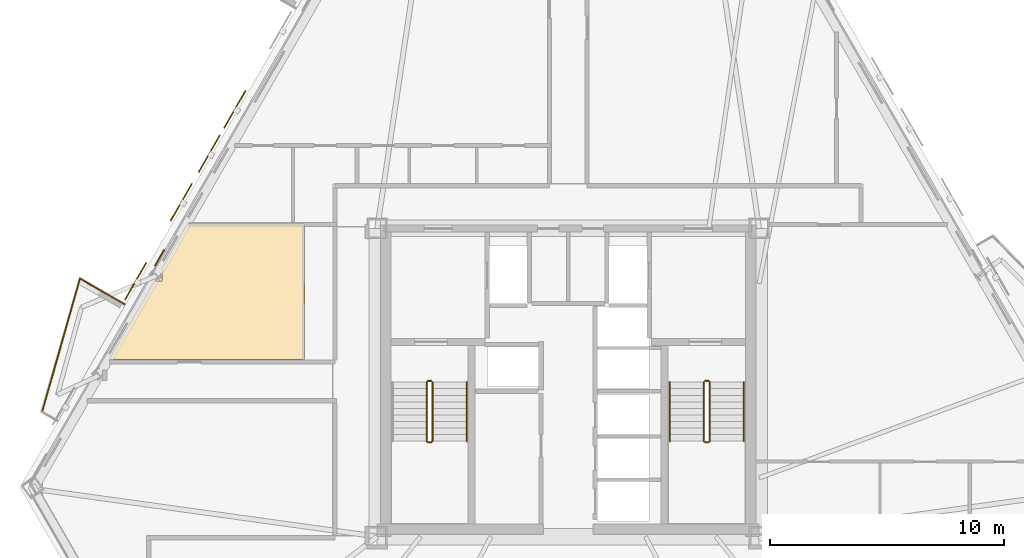
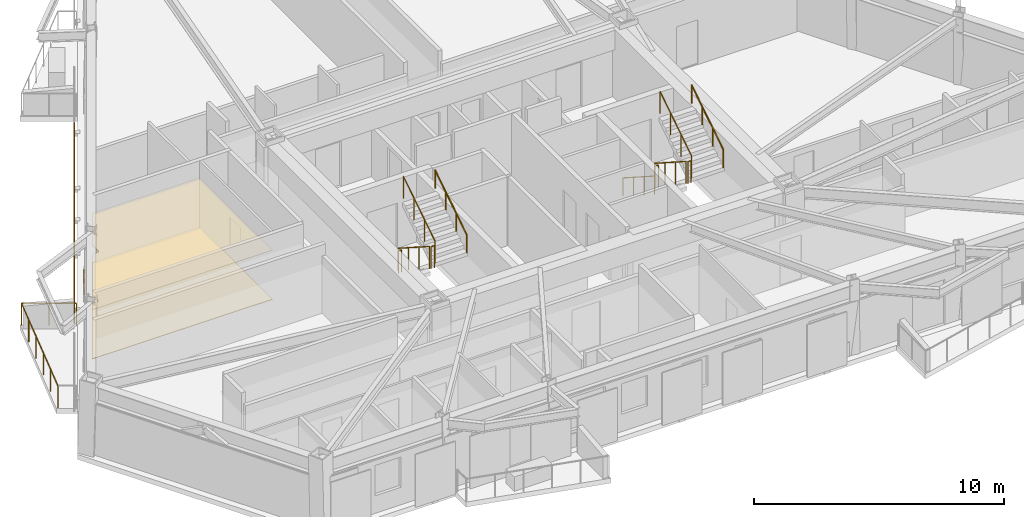
# One storey, part 8 of 9: 13 railings, 4 shading devices, 3 coverings.
"""IFC4 building model written with IfcOpenShell, lengths in metres."""

import ifcopenshell
import ifcopenshell.guid

model = None  # the IFC model being written
_history = None  # IfcOwnerHistory: only IFC2X3 demands one
_inside = {}  # id of a spatial element -> (the spatial element, [elements in it])
_under = {}  # id of a project, library or spatial element -> (it, [spatial elements below it])
_declared = {}  # id of a project -> (the project, [libraries it declares])
_typed = {}  # id of a type object -> (the type object, [elements of that type])
_made_of = {}  # id of a material, layer set ... -> (it, [elements and type objects made of it])


def new_model(schema):
    """Start an empty IFC model of exactly this schema.

    Asked for "IFC4X3", IfcOpenShell would pick the latest addendum, in which some entities
    have other attributes; the version numbers below select the first issue.
    IFC2X3 requires an IfcOwnerHistory on every rooted entity: one is made here for all.
    """
    global model, _history
    if schema == "IFC4X3":
        model = ifcopenshell.file(schema_version=(4, 3, 0, 0))
    else:
        model = ifcopenshell.file(schema=schema)
    _inside.clear()
    _under.clear()
    _declared.clear()
    _typed.clear()
    _made_of.clear()
    _history = None
    if model.schema == "IFC2X3":
        org = make("IfcOrganization", Name="unknown")
        user = make(
            "IfcPersonAndOrganization",
            ThePerson=make("IfcPerson", FamilyName="unknown"),
            TheOrganization=org,
        )
        app = make(
            "IfcApplication",
            ApplicationDeveloper=org,
            Version="unknown",
            ApplicationFullName="unknown",
            ApplicationIdentifier="unknown",
        )
        _history = make(
            "IfcOwnerHistory",
            OwningUser=user,
            OwningApplication=app,
            ChangeAction="ADDED",
            CreationDate=0,
        )
    return model


def make(cls, **values):
    """One entity of the class cls with the attributes given. An attribute that is None is left unset."""
    return model.create_entity(
        cls, **{name: value for name, value in values.items() if value is not None}
    )


def rooted(cls, **values):
    """An entity with a GlobalId (a new one), such as an element, a storey or a relation."""
    return make(cls, GlobalId=ifcopenshell.guid.new(), OwnerHistory=_history, **values)


def si_unit(unit_type, name, prefix=None):
    """IfcSIUnit, for example si_unit("LENGTHUNIT", "METRE", prefix="MILLI")."""
    return make("IfcSIUnit", UnitType=unit_type, Prefix=prefix, Name=name)


def assignment(units):
    """IfcUnitAssignment: the units of a project."""
    return None if units is None else make("IfcUnitAssignment", Units=units)


def point(xyz):
    """IfcCartesianPoint."""
    return None if xyz is None else make("IfcCartesianPoint", Coordinates=xyz)


def direction(xyz):
    """IfcDirection."""
    return None if xyz is None else make("IfcDirection", DirectionRatios=xyz)


def frame(location, z_axis=None, x_axis=None):
    """IfcAxis2Placement3D, a coordinate frame: its origin and axes. An axis left out is left unset."""
    return make(
        "IfcAxis2Placement3D",
        Location=point(location),
        Axis=direction(z_axis),
        RefDirection=direction(x_axis),
    )


def frame_2d(location, x_axis=None):
    """IfcAxis2Placement2D, a coordinate frame in the plane: its origin and x axis."""
    return make(
        "IfcAxis2Placement2D", Location=point(location), RefDirection=direction(x_axis)
    )


def origin():
    """The frame at (0, 0, 0) with its axes left unset."""
    return frame((0.0, 0.0, 0.0))


def origin_2d():
    """The frame at (0, 0) in the plane with its x axis left unset."""
    return frame_2d((0.0, 0.0))


def place(relative_to, where):
    """IfcLocalPlacement: puts the frame where relative to a parent placement (None: the world)."""
    return make(
        "IfcLocalPlacement", PlacementRelTo=relative_to, RelativePlacement=where
    )


def context(
    kind, dimensions, precision=None, world=None, true_north=None, identifier=None
):
    """IfcGeometricRepresentationContext, for example the 3D "Model" context."""
    return make(
        "IfcGeometricRepresentationContext",
        ContextIdentifier=identifier,
        ContextType=kind,
        CoordinateSpaceDimension=dimensions,
        Precision=precision,
        WorldCoordinateSystem=world,
        TrueNorth=true_north,
    )


def subcontext(parent, identifier, kind, view, scale=None):
    """IfcGeometricRepresentationSubContext, for example "Body" below "Model"."""
    return make(
        "IfcGeometricRepresentationSubContext",
        ContextIdentifier=identifier,
        ContextType=kind,
        ParentContext=parent,
        TargetScale=scale,
        TargetView=view,
    )


def project(units=None, contexts=None):
    """IfcProject with its units and contexts."""
    return rooted(
        "IfcProject",
        Name="project",
        RepresentationContexts=contexts,
        UnitsInContext=assignment(units),
    )


def spatial(cls, under=None, at=None, **own):
    """A site, building, storey or space (cls), placed at a placement, below another one or the project."""
    s = rooted(cls, ObjectPlacement=at, **own)
    if under is not None:
        _under.setdefault(under.id(), (under, []))[1].append(s)
    return s


def polyline(points):
    """IfcPolyline through the points."""
    return make("IfcPolyline", Points=[point(p) for p in points])


def profile(cls, at=None, kind="AREA", **sizes):
    """A parametric profile (cls). Its sizes go by their IFC names, for example OverallWidth=200.0."""
    return make(cls, ProfileType=kind, Position=at, **sizes)


def rectangle(**sizes):
    """IfcRectangleProfileDef."""
    return profile("IfcRectangleProfileDef", **sizes)


def circle(**sizes):
    """IfcCircleProfileDef."""
    return profile("IfcCircleProfileDef", **sizes)


def outline(outer, holes=None, kind="AREA"):
    """IfcArbitraryClosedProfileDef: a profile drawn as a closed curve; with holes, ...WithVoids."""
    if holes is None:
        return make("IfcArbitraryClosedProfileDef", ProfileType=kind, OuterCurve=outer)
    return make(
        "IfcArbitraryProfileDefWithVoids",
        ProfileType=kind,
        OuterCurve=outer,
        InnerCurves=holes,
    )


def extrude(swept, where, along, depth):
    """IfcExtrudedAreaSolid: the profile swept, set in the frame where, extruded along a direction by depth."""
    return make(
        "IfcExtrudedAreaSolid",
        SweptArea=swept,
        Position=where,
        ExtrudedDirection=direction(along),
        Depth=depth,
    )


def shape(context_of_items, identifier, shape_type, items):
    """IfcShapeRepresentation: the items that make up one representation, for example the "Body"."""
    return make(
        "IfcShapeRepresentation",
        ContextOfItems=context_of_items,
        RepresentationIdentifier=identifier,
        RepresentationType=shape_type,
        Items=items,
    )


def material(Name=None, Category=None):
    """IfcMaterial."""
    return make("IfcMaterial", Name=Name, Category=Category)


def layer(
    of_material, thickness, ventilated=None, Name=None, Category=None, Priority=None
):
    """IfcMaterialLayer: one layer of a wall or slab, of a material (None: an air gap)."""
    return make(
        "IfcMaterialLayer",
        Material=of_material,
        LayerThickness=thickness,
        IsVentilated=ventilated,
        Name=Name,
        Category=Category,
        Priority=Priority,
    )


def layer_set(layers, Name=None):
    """IfcMaterialLayerSet."""
    return make("IfcMaterialLayerSet", MaterialLayers=layers, LayerSetName=Name)


def made_of(thing, what):
    """Note that an element or type object is made of a material, layer set ...; save() writes the relation."""
    if what is not None:
        _made_of.setdefault(what.id(), (what, []))[1].append(thing)
    return thing


def type_object(cls, material=None, **own):
    """A type object (cls), such as IfcWallType, which elements share."""
    return made_of(rooted(cls, **own), material)


def element(
    cls,
    number,
    at=None,
    inside=None,
    cuts=None,
    type_object=None,
    material=None,
    context=None,
    identifier="Body",
    shape_type=None,
    held_by="IfcProductDefinitionShape",
    body=None,
    shapes=None,
    **own,
):
    """One element of the class cls, such as IfcWall. Its Tag is "e" and its number.

    at: its placement. inside: the storey or other place that contains it. cuts: it is an
    opening in that element (IfcRelVoidsElement). A single representation is given by context,
    identifier, shape_type and body (its items); several are given by shapes. held_by: the class
    of the entity that holds the representations. save() writes the other relations.
    """
    e = rooted(cls, Tag="e%d" % number, ObjectPlacement=at, **own)
    if body is not None:
        shapes = [shape(context, identifier, shape_type, body)]
    if shapes is not None:
        e.Representation = make(held_by, Representations=shapes)
    if inside is not None:
        _inside.setdefault(inside.id(), (inside, []))[1].append(e)
    if cuts is not None:
        rooted(
            "IfcRelVoidsElement", RelatingBuildingElement=cuts, RelatedOpeningElement=e
        )
    if type_object is not None:
        _typed.setdefault(type_object.id(), (type_object, []))[1].append(e)
    return made_of(e, material)


def aggregate(whole, parts):
    """IfcRelAggregates: a whole, such as a stair, and the parts it consists of."""
    return rooted("IfcRelAggregates", RelatingObject=whole, RelatedObjects=parts)


def save(model, path):
    """Write the relations noted so far, then the file.

    IfcRelAggregates (storeys below a building ...), IfcRelContainedInSpatialStructure (elements
    in a storey), IfcRelDefinesByType, IfcRelAssociatesMaterial and IfcRelDeclares: one each for
    every whole, place, type object, material and project.
    """
    for whole, parts in _under.values():
        aggregate(whole, parts)
    for where, things in _inside.values():
        rooted(
            "IfcRelContainedInSpatialStructure",
            RelatedElements=things,
            RelatingStructure=where,
        )
    for kind, things in _typed.values():
        rooted("IfcRelDefinesByType", RelatedObjects=things, RelatingType=kind)
    for what, things in _made_of.values():
        rooted("IfcRelAssociatesMaterial", RelatedObjects=things, RelatingMaterial=what)
    for by, libraries in _declared.values():
        rooted("IfcRelDeclares", RelatingContext=by, RelatedDefinitions=libraries)
    model.write(path)


model = new_model("IFC4")

# Units and contexts
model_context = context("Model", 3, precision=1e-05, world=origin(), true_north=direction((0.0, 1.0)))
body_context = subcontext(model_context, "Body", "Model", "MODEL_VIEW")
ifc_project = project(units=[si_unit("LENGTHUNIT", "METRE"), si_unit("AREAUNIT", "SQUARE_METRE"), si_unit("VOLUMEUNIT", "CUBIC_METRE"), si_unit("PLANEANGLEUNIT", "RADIAN"), si_unit("MASSUNIT", "GRAM", prefix="KILO")], contexts=[model_context])

# Site, building, storey
site_placement = place(None, origin())
site = spatial("IfcSite", under=ifc_project, at=site_placement, CompositionType="ELEMENT")
building_placement = place(site_placement, origin())
building = spatial("IfcBuilding", under=site, at=building_placement, Name="Oramaril Tower", CompositionType="ELEMENT")
storey_placement = place(building_placement, frame((0.0, 0.0, 123.0)))
storey = spatial("IfcBuildingStorey", under=building, at=storey_placement, Name="L32", CompositionType="ELEMENT", Elevation=123.0)

# Coverings
ifc_material_1 = material(Name="Mineral Fibre Acoustic Ceiling")
ifc_layer_1 = layer(ifc_material_1, 0.02001953125)
ifc_layer_set_1 = layer_set([ifc_layer_1], Name="CVT-CEIL")
covering_type_1 = type_object("IfcCoveringType", Name="CVT-CEIL", PredefinedType="CEILING", material=ifc_layer_set_1)
covering_1_placement = place(storey_placement, frame((0.0, 0.0, 2.39990234375)))
element("IfcCovering", 1, at=covering_1_placement, inside=storey, type_object=covering_type_1, Name="L32 Acoustic Suspended Ceiling 16", PredefinedType="CEILING", context=body_context, shape_type="SweptSolid", body=[
    extrude(outline(polyline([(19.84765625, 21.9169921875), (20.169921875, 21.9169921875), (20.169921875, 22.4169921875), (20.13623046875, 22.4169921875), (21.25927734375, 24.362060546875), (26.238037109375, 24.362060546875), (26.238037109375, 18.550048828125), (17.90380859375, 18.550048828125), (19.84765625, 21.9169921875)])), origin(), (0.0, 0.0, 1.0), 0.02001953125),
])
ifc_material_2 = material(Name="Warm Cream Limestone", Category="masonry")
ifc_layer_2 = layer(ifc_material_2, 0.050048828125)
ifc_layer_set_2 = layer_set([ifc_layer_2], Name="CVT-CLD")
covering_type_2 = type_object("IfcCoveringType", Name="CVT-CLD", PredefinedType="CLADDING", material=ifc_layer_set_2)
covering_2_placement = place(storey_placement, frame((20.0654296875, 22.896240234375, 0.0400390625), z_axis=(0.0, 0.0, 1.0), x_axis=(-0.4999984885, -0.866026276448, 0.0)))
element("IfcCovering", 2, at=covering_2_placement, inside=storey, type_object=covering_type_2, Name="L32 Warm Cream Limestone Spandrel Cladding", PredefinedType="CLADDING", context=body_context, shape_type="SweptSolid", body=[
    extrude(rectangle(XDim=0.800048828125, YDim=0.050048828125, at=origin_2d()), origin(), (0.0, 0.0, 1.0), 0.679931640625),
])
ifc_material_3 = material(Name="Honed Quartzite Stone Flooring", Category="masonry")
ifc_layer_3 = layer(ifc_material_3, 0.02490234375)
ifc_layer_set_3 = layer_set([ifc_layer_3], Name="CVT-FLR")
covering_type_3 = type_object("IfcCoveringType", Name="CVT-FLR", PredefinedType="FLOORING", material=ifc_layer_set_3)
covering_3_placement = place(storey_placement, origin())
element("IfcCovering", 3, at=covering_3_placement, inside=storey, type_object=covering_type_3, Name="L32 Honed Stone Floor Finish 16", PredefinedType="FLOORING", context=body_context, shape_type="SweptSolid", body=[
    extrude(outline(polyline([(19.84765625, 21.9169921875), (20.169921875, 21.9169921875), (20.169921875, 22.4169921875), (20.13623046875, 22.4169921875), (21.25927734375, 24.362060546875), (26.238037109375, 24.362060546875), (26.238037109375, 18.550048828125), (17.90380859375, 18.550048828125), (19.84765625, 21.9169921875)])), origin(), (0.0, 0.0, 1.0), 0.02490234375),
])

# Railings
ifc_material_4 = material(Name="Stainless Steel 316L", Category="steel")
railing_type_1 = type_object("IfcRailingType", Name="RLT-GRD", PredefinedType="GUARDRAIL", material=ifc_material_4)
railing_1_placement = place(storey_placement, frame((15.05126953125, 16.3251953125, 0.0)))
element("IfcRailing", 4, at=railing_1_placement, inside=storey, type_object=railing_type_1, Name="L32 Balcony Guardrail L32-BAL-NW2.2", PredefinedType="GUARDRAIL", context=body_context, shape_type="SweptSolid", body=[
    extrude(circle(Radius=0.02392578125, at=origin_2d()), frame((0.0, 0.0, 1.076171875), z_axis=(0.27224886544, 0.962226873074, 0.0), x_axis=(-0.962226873074, 0.27224886544, 0.0)), (0.0, 0.0, 1.0), 5.910400390625),
    extrude(circle(Radius=0.02099609375, at=origin_2d()), origin(), (0.0, 0.0, 1.0), 1.052001953125),
    extrude(circle(Radius=0.02099609375, at=origin_2d()), frame((0.32177734375, 1.137451171875, 0.0)), (0.0, 0.0, 1.0), 1.052001953125),
    extrude(circle(Radius=0.02099609375, at=origin_2d()), frame((0.6435546875, 2.27490234375, 0.0)), (0.0, 0.0, 1.0), 1.052001953125),
    extrude(circle(Radius=0.02099609375, at=origin_2d()), frame((0.965576171875, 3.412353515625, 0.0)), (0.0, 0.0, 1.0), 1.052001953125),
    extrude(circle(Radius=0.02099609375, at=origin_2d()), frame((1.287353515625, 4.5498046875, 0.0)), (0.0, 0.0, 1.0), 1.052001953125),
    extrude(circle(Radius=0.02099609375, at=origin_2d()), frame((1.609130859375, 5.687255859375, 0.0)), (0.0, 0.0, 1.0), 1.052001953125),
])
railing_2_placement = place(storey_placement, frame((16.660400390625, 22.012451171875, 0.0)))
element("IfcRailing", 5, at=railing_2_placement, inside=storey, type_object=railing_type_1, Name="L32 Balcony Guardrail L32-BAL-NW2.3", PredefinedType="GUARDRAIL", context=body_context, shape_type="SweptSolid", body=[
    extrude(circle(Radius=0.02392578125, at=origin_2d()), frame((0.0, 0.0, 1.076171875), z_axis=(0.866020500697, -0.5000084923, 0.0), x_axis=(0.5000084923, 0.866020500697, 0.0)), (0.0, 0.0, 1.0), 2.19189453125),
    extrude(circle(Radius=0.02099609375, at=origin_2d()), origin(), (0.0, 0.0, 1.0), 1.052001953125),
    extrude(circle(Radius=0.02099609375, at=origin_2d()), frame((0.94921875, -0.5478515625, 0.0)), (0.0, 0.0, 1.0), 1.052001953125),
    extrude(circle(Radius=0.02099609375, at=origin_2d()), frame((1.898193359375, -1.095947265625, 0.0)), (0.0, 0.0, 1.0), 1.052001953125),
])
railing_3_placement = place(storey_placement, frame((31.4599609375, 17.590087890625, 0.179931640625)))
element("IfcRailing", 6, at=railing_3_placement, inside=storey, type_object=railing_type_1, Name="L32 ST-1 stair guard 1", PredefinedType="GUARDRAIL", context=body_context, shape_type="SweptSolid", body=[
    extrude(circle(Radius=0.02392578125, at=origin_2d()), frame((0.0, 0.0, 1.076171875), z_axis=(0.0, -0.841162588446, 0.540782303519), x_axis=(1.0, 0.0, 0.0)), (0.0, 0.0, 1.0), 2.995849609375),
    extrude(circle(Radius=0.02099609375, at=origin_2d()), origin(), (0.0, 0.0, 1.0), 1.052001953125),
    extrude(circle(Radius=0.02099609375, at=origin_2d()), frame((0.0, -0.840087890625, 0.5400390625)), (0.0, 0.0, 1.0), 1.052001953125),
    extrude(circle(Radius=0.02099609375, at=origin_2d()), frame((0.0, -1.679931640625, 1.080078125)), (0.0, 0.0, 1.0), 1.052001953125),
    extrude(circle(Radius=0.02099609375, at=origin_2d()), frame((0.0, -2.52001953125, 1.6201171875)), (0.0, 0.0, 1.0), 1.052001953125),
])
railing_4_placement = place(storey_placement, frame((31.510009765625, 15.02001953125, 1.800048828125)))
element("IfcRailing", 7, at=railing_4_placement, inside=storey, type_object=railing_type_1, Name="L32 ST-1 stair guard 2", PredefinedType="GUARDRAIL", context=body_context, shape_type="SweptSolid", body=[
    extrude(circle(Radius=0.02392578125, at=origin_2d()), frame((0.0, 0.0, 1.076171875), z_axis=(1.0, 0.0, 0.0), x_axis=(0.0, 1.0, 0.0)), (0.0, 0.0, 1.0), 0.14990234375),
    extrude(circle(Radius=0.02099609375, at=origin_2d()), origin(), (0.0, 0.0, 1.0), 1.052001953125),
    extrude(circle(Radius=0.02099609375, at=origin_2d()), frame((0.14990234375, 0.0, 0.0)), (0.0, 0.0, 1.0), 1.052001953125),
])
railing_5_placement = place(storey_placement, frame((31.7099609375, 15.070068359375, 1.97998046875)))
element("IfcRailing", 8, at=railing_5_placement, inside=storey, type_object=railing_type_1, Name="L32 ST-1 stair guard 3", PredefinedType="GUARDRAIL", context=body_context, shape_type="SweptSolid", body=[
    extrude(circle(Radius=0.02392578125, at=origin_2d()), frame((0.0, 0.0, 1.076171875), z_axis=(0.0, 0.841162588446, 0.540782303519), x_axis=(-1.0, 0.0, 0.0)), (0.0, 0.0, 1.0), 2.995849609375),
    extrude(circle(Radius=0.02099609375, at=origin_2d()), origin(), (0.0, 0.0, 1.0), 1.052001953125),
    extrude(circle(Radius=0.02099609375, at=origin_2d()), frame((0.0, 0.840087890625, 0.5400390625)), (0.0, 0.0, 1.0), 1.052001953125),
    extrude(circle(Radius=0.02099609375, at=origin_2d()), frame((0.0, 1.679931640625, 1.080078125)), (0.0, 0.0, 1.0), 1.052001953125),
    extrude(circle(Radius=0.02099609375, at=origin_2d()), frame((0.0, 2.52001953125, 1.6201171875)), (0.0, 0.0, 1.0), 1.052001953125),
])
railing_6_placement = place(storey_placement, frame((31.510009765625, 17.639892578125, 0.0)))
element("IfcRailing", 9, at=railing_6_placement, inside=storey, type_object=railing_type_1, Name="L32 ST-1 stair guard 4", PredefinedType="GUARDRAIL", context=body_context, shape_type="SweptSolid", body=[
    extrude(circle(Radius=0.02392578125, at=origin_2d()), frame((0.0, 0.0, 1.076171875), z_axis=(1.0, 0.0, 0.0), x_axis=(0.0, 1.0, 0.0)), (0.0, 0.0, 1.0), 0.14990234375),
    extrude(circle(Radius=0.02099609375, at=origin_2d()), origin(), (0.0, 0.0, 1.0), 1.052001953125),
    extrude(circle(Radius=0.02099609375, at=origin_2d()), frame((0.14990234375, 0.0, 0.0)), (0.0, 0.0, 1.0), 1.052001953125),
])
railing_7_placement = place(storey_placement, frame((43.2900390625, 17.590087890625, 0.179931640625)))
element("IfcRailing", 10, at=railing_7_placement, inside=storey, type_object=railing_type_1, Name="L32 ST-2 stair guard 1", PredefinedType="GUARDRAIL", context=body_context, shape_type="SweptSolid", body=[
    extrude(circle(Radius=0.02392578125, at=origin_2d()), frame((0.0, 0.0, 1.076171875), z_axis=(0.0, -0.841162588446, 0.540782303519), x_axis=(1.0, 0.0, 0.0)), (0.0, 0.0, 1.0), 2.995849609375),
    extrude(circle(Radius=0.02099609375, at=origin_2d()), origin(), (0.0, 0.0, 1.0), 1.052001953125),
    extrude(circle(Radius=0.02099609375, at=origin_2d()), frame((0.0, -0.840087890625, 0.5400390625)), (0.0, 0.0, 1.0), 1.052001953125),
    extrude(circle(Radius=0.02099609375, at=origin_2d()), frame((0.0, -1.679931640625, 1.080078125)), (0.0, 0.0, 1.0), 1.052001953125),
    extrude(circle(Radius=0.02099609375, at=origin_2d()), frame((0.0, -2.52001953125, 1.6201171875)), (0.0, 0.0, 1.0), 1.052001953125),
])
railing_8_placement = place(storey_placement, frame((43.340087890625, 15.02001953125, 1.800048828125)))
element("IfcRailing", 11, at=railing_8_placement, inside=storey, type_object=railing_type_1, Name="L32 ST-2 stair guard 2", PredefinedType="GUARDRAIL", context=body_context, shape_type="SweptSolid", body=[
    extrude(circle(Radius=0.02392578125, at=origin_2d()), frame((0.0, 0.0, 1.076171875), z_axis=(1.0, 0.0, 0.0), x_axis=(0.0, 1.0, 0.0)), (0.0, 0.0, 1.0), 0.14990234375),
    extrude(circle(Radius=0.02099609375, at=origin_2d()), origin(), (0.0, 0.0, 1.0), 1.052001953125),
    extrude(circle(Radius=0.02099609375, at=origin_2d()), frame((0.14990234375, 0.0, 0.0)), (0.0, 0.0, 1.0), 1.052001953125),
])
railing_9_placement = place(storey_placement, frame((43.5400390625, 15.070068359375, 1.97998046875)))
element("IfcRailing", 12, at=railing_9_placement, inside=storey, type_object=railing_type_1, Name="L32 ST-2 stair guard 3", PredefinedType="GUARDRAIL", context=body_context, shape_type="SweptSolid", body=[
    extrude(circle(Radius=0.02392578125, at=origin_2d()), frame((0.0, 0.0, 1.076171875), z_axis=(0.0, 0.841162588446, 0.540782303519), x_axis=(-1.0, 0.0, 0.0)), (0.0, 0.0, 1.0), 2.995849609375),
    extrude(circle(Radius=0.02099609375, at=origin_2d()), origin(), (0.0, 0.0, 1.0), 1.052001953125),
    extrude(circle(Radius=0.02099609375, at=origin_2d()), frame((0.0, 0.840087890625, 0.5400390625)), (0.0, 0.0, 1.0), 1.052001953125),
    extrude(circle(Radius=0.02099609375, at=origin_2d()), frame((0.0, 1.679931640625, 1.080078125)), (0.0, 0.0, 1.0), 1.052001953125),
    extrude(circle(Radius=0.02099609375, at=origin_2d()), frame((0.0, 2.52001953125, 1.6201171875)), (0.0, 0.0, 1.0), 1.052001953125),
])
railing_10_placement = place(storey_placement, frame((43.340087890625, 17.639892578125, 0.0)))
element("IfcRailing", 13, at=railing_10_placement, inside=storey, type_object=railing_type_1, Name="L32 ST-2 stair guard 4", PredefinedType="GUARDRAIL", context=body_context, shape_type="SweptSolid", body=[
    extrude(circle(Radius=0.02392578125, at=origin_2d()), frame((0.0, 0.0, 1.076171875), z_axis=(1.0, 0.0, 0.0), x_axis=(0.0, 1.0, 0.0)), (0.0, 0.0, 1.0), 0.14990234375),
    extrude(circle(Radius=0.02099609375, at=origin_2d()), origin(), (0.0, 0.0, 1.0), 1.052001953125),
    extrude(circle(Radius=0.02099609375, at=origin_2d()), frame((0.14990234375, 0.0, 0.0)), (0.0, 0.0, 1.0), 1.052001953125),
])
ifc_material_5 = material(Name="Stainless Steel 316L", Category="steel")
railing_type_2 = type_object("IfcRailingType", Name="RLT-HND", PredefinedType="HANDRAIL", material=ifc_material_5)
railing_11_placement = place(storey_placement, frame((33.169921875, 15.070068359375, 1.97998046875)))
element("IfcRailing", 14, at=railing_11_placement, inside=storey, type_object=railing_type_2, Name="L32 ST-1 stair handrail 2", PredefinedType="HANDRAIL", context=body_context, shape_type="SweptSolid", body=[
    extrude(circle(Radius=0.02392578125, at=origin_2d()), frame((0.0, 0.0, 0.8759765625), z_axis=(0.0, 0.841162588446, 0.540782303519), x_axis=(-1.0, 0.0, 0.0)), (0.0, 0.0, 1.0), 2.995849609375),
    extrude(circle(Radius=0.02099609375, at=origin_2d()), origin(), (0.0, 0.0, 1.0), 0.851806640625),
    extrude(circle(Radius=0.02099609375, at=origin_2d()), frame((0.0, 0.840087890625, 0.5400390625)), (0.0, 0.0, 1.0), 0.851806640625),
    extrude(circle(Radius=0.02099609375, at=origin_2d()), frame((0.0, 1.679931640625, 1.080078125)), (0.0, 0.0, 1.0), 0.851806640625),
    extrude(circle(Radius=0.02099609375, at=origin_2d()), frame((0.0, 2.52001953125, 1.6201171875)), (0.0, 0.0, 1.0), 0.851806640625),
])
railing_12_placement = place(storey_placement, frame((41.830078125, 17.590087890625, 0.179931640625)))
element("IfcRailing", 15, at=railing_12_placement, inside=storey, type_object=railing_type_2, Name="L32 ST-2 stair handrail 1", PredefinedType="HANDRAIL", context=body_context, shape_type="SweptSolid", body=[
    extrude(circle(Radius=0.02392578125, at=origin_2d()), frame((0.0, 0.0, 0.8759765625), z_axis=(0.0, -0.841162588446, 0.540782303519), x_axis=(1.0, 0.0, 0.0)), (0.0, 0.0, 1.0), 2.995849609375),
    extrude(circle(Radius=0.02099609375, at=origin_2d()), origin(), (0.0, 0.0, 1.0), 0.851806640625),
    extrude(circle(Radius=0.02099609375, at=origin_2d()), frame((0.0, -0.840087890625, 0.5400390625)), (0.0, 0.0, 1.0), 0.851806640625),
    extrude(circle(Radius=0.02099609375, at=origin_2d()), frame((0.0, -1.679931640625, 1.080078125)), (0.0, 0.0, 1.0), 0.851806640625),
    extrude(circle(Radius=0.02099609375, at=origin_2d()), frame((0.0, -2.52001953125, 1.6201171875)), (0.0, 0.0, 1.0), 0.851806640625),
])
railing_13_placement = place(storey_placement, frame((45.0, 15.070068359375, 1.97998046875)))
element("IfcRailing", 16, at=railing_13_placement, inside=storey, type_object=railing_type_2, Name="L32 ST-2 stair handrail 2", PredefinedType="HANDRAIL", context=body_context, shape_type="SweptSolid", body=[
    extrude(circle(Radius=0.02392578125, at=origin_2d()), frame((0.0, 0.0, 0.8759765625), z_axis=(0.0, 0.841162588446, 0.540782303519), x_axis=(-1.0, 0.0, 0.0)), (0.0, 0.0, 1.0), 2.995849609375),
    extrude(circle(Radius=0.02099609375, at=origin_2d()), origin(), (0.0, 0.0, 1.0), 0.851806640625),
    extrude(circle(Radius=0.02099609375, at=origin_2d()), frame((0.0, 0.840087890625, 0.5400390625)), (0.0, 0.0, 1.0), 0.851806640625),
    extrude(circle(Radius=0.02099609375, at=origin_2d()), frame((0.0, 1.679931640625, 1.080078125)), (0.0, 0.0, 1.0), 0.851806640625),
    extrude(circle(Radius=0.02099609375, at=origin_2d()), frame((0.0, 2.52001953125, 1.6201171875)), (0.0, 0.0, 1.0), 0.851806640625),
])

# Shading devices
for number, where, z_axis, x_axis, name in (
    (17, (20.989990234375, 25.271484375, -0.02001953125), (0.0, 0.0, 1.0), (-0.4999984885, -0.866026276448, 0.0), "L32 Perforated Ceramic Solar Screen"),
    (18, (19.0400390625, 21.89404296875, -0.02001953125), (0.0, 0.0, 1.0), (-0.4999984885, -0.866026276448, 0.0), "L32 Perforated Ceramic Solar Screen"),
    (19, (23.27587890625, 29.23095703125, -0.02001953125), (0.0, 0.0, 1.0), (-0.4999984885, -0.866026276448, 0.0), "L32 Perforated Ceramic Solar Screen"),
    (20, (22.181640625, 27.335693359375, -0.02001953125), (0.0, 0.0, 1.0), (-0.4999984885, -0.866026276448, 0.0), "L32 Perforated Ceramic Solar Screen"),
):
    element("IfcShadingDevice", number, at=place(storey_placement, frame(where, z_axis=z_axis, x_axis=x_axis)), inside=storey, Name=name, ObjectType="SCREEN", PredefinedType="USERDEFINED", context=body_context, shape_type="SweptSolid", body=[
        extrude(rectangle(XDim=1.8330078125, YDim=0.050048828125, at=origin_2d()), origin(), (0.0, 0.0, 1.0), 2.577880859375),
    ])

save(model, "model.ifc")
